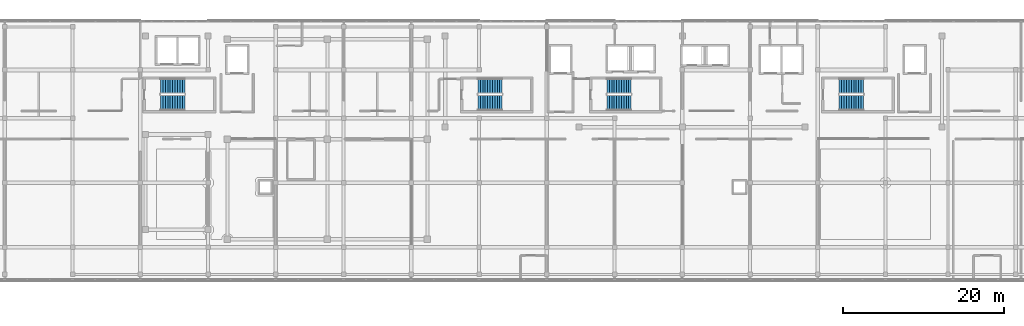
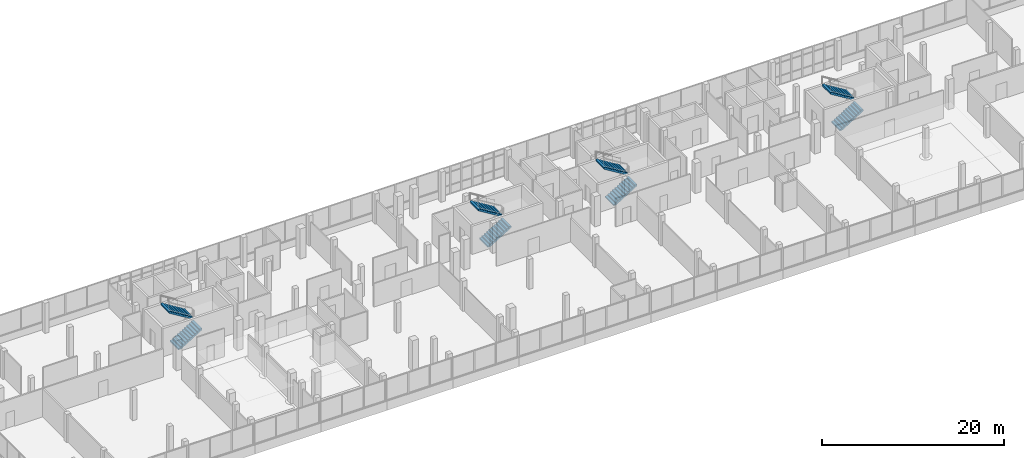
# One storey, part 60 of 66: 8 stair flights, 4 elements without a shape of their own.
"""IFC4 building model written with IfcOpenShell, lengths in metres."""

from ifc_helpers import new_model, si_unit, direction, frame, origin, place, context, subcontext, project, spatial, polyline, outline, extrude, material, layer, layer_set, type_object, element, aggregate, save


model = new_model("IFC4")

# Units and contexts
model_context = context("Model", 3, precision=1e-05, world=origin(), true_north=direction((0.0, 1.0)))
body_context = subcontext(model_context, "Body", "Model", "MODEL_VIEW")
ifc_project = project(units=[si_unit("LENGTHUNIT", "METRE"), si_unit("AREAUNIT", "SQUARE_METRE"), si_unit("VOLUMEUNIT", "CUBIC_METRE"), si_unit("PLANEANGLEUNIT", "RADIAN"), si_unit("MASSUNIT", "GRAM", prefix="KILO")], contexts=[model_context])

# Site, building, storey
site_placement = place(None, origin())
site = spatial("IfcSite", under=ifc_project, at=site_placement, CompositionType="ELEMENT")
building_placement = place(site_placement, origin())
building = spatial("IfcBuilding", under=site, at=building_placement, Name="Selatvlak General Hospital", CompositionType="ELEMENT")
storey_placement = place(building_placement, frame((0.0, 0.0, 31.35009765625)))
storey = spatial("IfcBuildingStorey", under=building, at=storey_placement, Name="L07", CompositionType="ELEMENT", Elevation=31.35009765625)

# Stair, stair flights
ifc_material = material(Name="Precast concrete C40/50", Category="concrete")
stair_type_1 = type_object("IfcStairType", Name="STAIR-ST-01", PredefinedType="HALF_TURN_STAIR", material=ifc_material)
stair_1_placement = place(storey_placement, origin())
stair_1 = element("IfcStair", 1, at=stair_1_placement, inside=storey, type_object=stair_type_1, Name="L07 Protected exit stair ST-01", PredefinedType="HALF_TURN_STAIR")
ifc_layer_1 = layer(ifc_material, 0.179931640625, Name="Precast concrete C40/50", Category="concrete")
ifc_layer_set_1 = layer_set([ifc_layer_1], Name="Precast concrete C40/50")
stair_flight_type_1 = type_object("IfcStairFlightType", Name="FLIGHT-ST-01", PredefinedType="STRAIGHT", material=ifc_layer_set_1)
stair_flight_1_placement = place(storey_placement, frame((50.510009765625, 109.929931640625, 0.0), z_axis=(0.0, 0.0, 1.0), x_axis=(1.0, 0.0, 0.0)))
stair_flight_1 = element("IfcStairFlight", 2, at=stair_flight_1_placement, type_object=stair_flight_type_1, Name="ST-01 flight 1", NumberOfRisers=11, NumberOfTreads=10, PredefinedType="STRAIGHT", RiserHeight=0.184090909, TreadLength=0.3, context=body_context, shape_type="SweptSolid", body=[
    extrude(outline(polyline([(0.0, 0.0), (0.0, 0.18408203125), (0.300048828125, 0.18408203125), (0.300048828125, 0.3681640625), (0.60009765625, 0.3681640625), (0.60009765625, 0.55224609375), (0.89990234375, 0.55224609375), (0.89990234375, 0.736328125), (1.199951171875, 0.736328125), (1.199951171875, 0.92041015625), (1.5, 0.92041015625), (1.5, 1.1044921875), (1.800048828125, 1.1044921875), (1.800048828125, 1.28857421875), (2.10009765625, 1.28857421875), (2.10009765625, 1.47265625), (2.39990234375, 1.47265625), (2.39990234375, 1.65673828125), (2.699951171875, 1.65673828125), (2.699951171875, 1.8408203125), (3.0, 1.8408203125), (3.0, 2.02490234375), (3.0, 1.6298828125), (0.343994140625, 0.0), (0.0, 0.0)])), frame((0.0, 0.93017578125, 0.0), z_axis=(0.0, -1.0, 0.0), x_axis=(1.0, 0.0, 0.0)), (0.0, 0.0, 1.0), 1.860107421875),
])
stair_flight_2_placement = place(storey_placement, frame((53.510009765625, 112.010009765625, 2.02490234375), z_axis=(0.0, 0.0, 1.0), x_axis=(-1.0, 0.0, 0.0)))
stair_flight_2 = element("IfcStairFlight", 3, at=stair_flight_2_placement, type_object=stair_flight_type_1, Name="ST-01 flight 2", NumberOfRisers=11, NumberOfTreads=10, PredefinedType="STRAIGHT", RiserHeight=0.184090909, TreadLength=0.3, context=body_context, shape_type="SweptSolid", body=[
    extrude(outline(polyline([(0.0, 0.0), (0.0, 0.18408203125), (0.300048828125, 0.18408203125), (0.300048828125, 0.3681640625), (0.60009765625, 0.3681640625), (0.60009765625, 0.55224609375), (0.89990234375, 0.55224609375), (0.89990234375, 0.736328125), (1.199951171875, 0.736328125), (1.199951171875, 0.92041015625), (1.5, 0.92041015625), (1.5, 1.1044921875), (1.800048828125, 1.1044921875), (1.800048828125, 1.28857421875), (2.10009765625, 1.28857421875), (2.10009765625, 1.47265625), (2.39990234375, 1.47265625), (2.39990234375, 1.65673828125), (2.699951171875, 1.65673828125), (2.699951171875, 1.8408203125), (3.0, 1.8408203125), (3.0, 2.02490234375), (3.0, 1.6298828125), (0.343994140625, 0.0), (0.0, 0.0)])), frame((0.0, 0.93017578125, 0.0), z_axis=(0.0, -1.0, 0.0), x_axis=(1.0, 0.0, 0.0)), (0.0, 0.0, 1.0), 1.860107421875),
])
aggregate(stair_1, [stair_flight_1, stair_flight_2])

stair_type_2 = type_object("IfcStairType", Name="STAIR-ST-02", PredefinedType="HALF_TURN_STAIR", material=ifc_material)
stair_2_placement = place(storey_placement, origin())
stair_2 = element("IfcStair", 4, at=stair_2_placement, inside=storey, type_object=stair_type_2, Name="L07 Protected exit stair ST-02", PredefinedType="HALF_TURN_STAIR")
ifc_layer_2 = layer(ifc_material, 0.179931640625, Name="Precast concrete C40/50", Category="concrete")
ifc_layer_set_2 = layer_set([ifc_layer_2], Name="Precast concrete C40/50")
stair_flight_type_2 = type_object("IfcStairFlightType", Name="FLIGHT-ST-02", PredefinedType="STRAIGHT", material=ifc_layer_set_2)
stair_flight_3_placement = place(storey_placement, frame((89.860107421875, 109.929931640625, 0.0), z_axis=(0.0, 0.0, 1.0), x_axis=(1.0, 0.0, 0.0)))
stair_flight_3 = element("IfcStairFlight", 5, at=stair_flight_3_placement, type_object=stair_flight_type_2, Name="ST-02 flight 1", NumberOfRisers=11, NumberOfTreads=10, PredefinedType="STRAIGHT", RiserHeight=0.184090909, TreadLength=0.3, context=body_context, shape_type="SweptSolid", body=[
    extrude(outline(polyline([(0.0, 0.0), (0.0, 0.18408203125), (0.300048828125, 0.18408203125), (0.300048828125, 0.3681640625), (0.60009765625, 0.3681640625), (0.60009765625, 0.55224609375), (0.89990234375, 0.55224609375), (0.89990234375, 0.736328125), (1.199951171875, 0.736328125), (1.199951171875, 0.92041015625), (1.5, 0.92041015625), (1.5, 1.1044921875), (1.800048828125, 1.1044921875), (1.800048828125, 1.28857421875), (2.10009765625, 1.28857421875), (2.10009765625, 1.47265625), (2.39990234375, 1.47265625), (2.39990234375, 1.65673828125), (2.699951171875, 1.65673828125), (2.699951171875, 1.8408203125), (3.0, 1.8408203125), (3.0, 2.02490234375), (3.0, 1.6298828125), (0.343994140625, 0.0), (0.0, 0.0)])), frame((0.0, 0.93017578125, 0.0), z_axis=(0.0, -1.0, 0.0), x_axis=(1.0, 0.0, 0.0)), (0.0, 0.0, 1.0), 1.860107421875),
])
stair_flight_4_placement = place(storey_placement, frame((92.860107421875, 112.010009765625, 2.02490234375), z_axis=(0.0, 0.0, 1.0), x_axis=(-1.0, 0.0, 0.0)))
stair_flight_4 = element("IfcStairFlight", 6, at=stair_flight_4_placement, type_object=stair_flight_type_2, Name="ST-02 flight 2", NumberOfRisers=11, NumberOfTreads=10, PredefinedType="STRAIGHT", RiserHeight=0.184090909, TreadLength=0.3, context=body_context, shape_type="SweptSolid", body=[
    extrude(outline(polyline([(0.0, 0.0), (0.0, 0.18408203125), (0.300048828125, 0.18408203125), (0.300048828125, 0.3681640625), (0.60009765625, 0.3681640625), (0.60009765625, 0.55224609375), (0.89990234375, 0.55224609375), (0.89990234375, 0.736328125), (1.199951171875, 0.736328125), (1.199951171875, 0.92041015625), (1.5, 0.92041015625), (1.5, 1.1044921875), (1.800048828125, 1.1044921875), (1.800048828125, 1.28857421875), (2.10009765625, 1.28857421875), (2.10009765625, 1.47265625), (2.39990234375, 1.47265625), (2.39990234375, 1.65673828125), (2.699951171875, 1.65673828125), (2.699951171875, 1.8408203125), (3.0, 1.8408203125), (3.0, 2.02490234375), (3.0, 1.6298828125), (0.343994140625, 0.0), (0.0, 0.0)])), frame((0.0, 0.93017578125, 0.0), z_axis=(0.0, -1.0, 0.0), x_axis=(1.0, 0.0, 0.0)), (0.0, 0.0, 1.0), 1.860107421875),
])
aggregate(stair_2, [stair_flight_3, stair_flight_4])

stair_type_3 = type_object("IfcStairType", Name="STAIR-ST-03", PredefinedType="HALF_TURN_STAIR", material=ifc_material)
stair_3_placement = place(storey_placement, origin())
stair_3 = element("IfcStair", 7, at=stair_3_placement, inside=storey, type_object=stair_type_3, Name="L07 Protected exit stair ST-03", PredefinedType="HALF_TURN_STAIR")
ifc_layer_3 = layer(ifc_material, 0.179931640625, Name="Precast concrete C40/50", Category="concrete")
ifc_layer_set_3 = layer_set([ifc_layer_3], Name="Precast concrete C40/50")
stair_flight_type_3 = type_object("IfcStairFlightType", Name="FLIGHT-ST-03", PredefinedType="STRAIGHT", material=ifc_layer_set_3)
stair_flight_5_placement = place(storey_placement, frame((105.860107421875, 109.929931640625, 0.0), z_axis=(0.0, 0.0, 1.0), x_axis=(1.0, 0.0, 0.0)))
stair_flight_5 = element("IfcStairFlight", 8, at=stair_flight_5_placement, type_object=stair_flight_type_3, Name="ST-03 flight 1", NumberOfRisers=11, NumberOfTreads=10, PredefinedType="STRAIGHT", RiserHeight=0.184090909, TreadLength=0.3, context=body_context, shape_type="SweptSolid", body=[
    extrude(outline(polyline([(0.0, 0.0), (0.0, 0.18408203125), (0.300048828125, 0.18408203125), (0.300048828125, 0.3681640625), (0.60009765625, 0.3681640625), (0.60009765625, 0.55224609375), (0.89990234375, 0.55224609375), (0.89990234375, 0.736328125), (1.199951171875, 0.736328125), (1.199951171875, 0.92041015625), (1.5, 0.92041015625), (1.5, 1.1044921875), (1.800048828125, 1.1044921875), (1.800048828125, 1.28857421875), (2.10009765625, 1.28857421875), (2.10009765625, 1.47265625), (2.39990234375, 1.47265625), (2.39990234375, 1.65673828125), (2.699951171875, 1.65673828125), (2.699951171875, 1.8408203125), (3.0, 1.8408203125), (3.0, 2.02490234375), (3.0, 1.6298828125), (0.343994140625, 0.0), (0.0, 0.0)])), frame((0.0, 0.93017578125, 0.0), z_axis=(0.0, -1.0, 0.0), x_axis=(1.0, 0.0, 0.0)), (0.0, 0.0, 1.0), 1.860107421875),
])
stair_flight_6_placement = place(storey_placement, frame((108.860107421875, 112.010009765625, 2.02490234375), z_axis=(0.0, 0.0, 1.0), x_axis=(-1.0, 0.0, 0.0)))
stair_flight_6 = element("IfcStairFlight", 9, at=stair_flight_6_placement, type_object=stair_flight_type_3, Name="ST-03 flight 2", NumberOfRisers=11, NumberOfTreads=10, PredefinedType="STRAIGHT", RiserHeight=0.184090909, TreadLength=0.3, context=body_context, shape_type="SweptSolid", body=[
    extrude(outline(polyline([(0.0, 0.0), (0.0, 0.18408203125), (0.300048828125, 0.18408203125), (0.300048828125, 0.3681640625), (0.60009765625, 0.3681640625), (0.60009765625, 0.55224609375), (0.89990234375, 0.55224609375), (0.89990234375, 0.736328125), (1.199951171875, 0.736328125), (1.199951171875, 0.92041015625), (1.5, 0.92041015625), (1.5, 1.1044921875), (1.800048828125, 1.1044921875), (1.800048828125, 1.28857421875), (2.10009765625, 1.28857421875), (2.10009765625, 1.47265625), (2.39990234375, 1.47265625), (2.39990234375, 1.65673828125), (2.699951171875, 1.65673828125), (2.699951171875, 1.8408203125), (3.0, 1.8408203125), (3.0, 2.02490234375), (3.0, 1.6298828125), (0.343994140625, 0.0), (0.0, 0.0)])), frame((0.0, 0.93017578125, 0.0), z_axis=(0.0, -1.0, 0.0), x_axis=(1.0, 0.0, 0.0)), (0.0, 0.0, 1.0), 1.860107421875),
])
aggregate(stair_3, [stair_flight_5, stair_flight_6])

stair_type_4 = type_object("IfcStairType", Name="STAIR-ST-04", PredefinedType="HALF_TURN_STAIR", material=ifc_material)
stair_4_placement = place(storey_placement, origin())
stair_4 = element("IfcStair", 10, at=stair_4_placement, inside=storey, type_object=stair_type_4, Name="L07 Protected exit stair ST-04", PredefinedType="HALF_TURN_STAIR")
ifc_layer_4 = layer(ifc_material, 0.179931640625, Name="Precast concrete C40/50", Category="concrete")
ifc_layer_set_4 = layer_set([ifc_layer_4], Name="Precast concrete C40/50")
stair_flight_type_4 = type_object("IfcStairFlightType", Name="FLIGHT-ST-04", PredefinedType="STRAIGHT", material=ifc_layer_set_4)
stair_flight_7_placement = place(storey_placement, frame((134.659912109375, 109.929931640625, 0.0), z_axis=(0.0, 0.0, 1.0), x_axis=(1.0, 0.0, 0.0)))
stair_flight_7 = element("IfcStairFlight", 11, at=stair_flight_7_placement, type_object=stair_flight_type_4, Name="ST-04 flight 1", NumberOfRisers=11, NumberOfTreads=10, PredefinedType="STRAIGHT", RiserHeight=0.184090909, TreadLength=0.3, context=body_context, shape_type="SweptSolid", body=[
    extrude(outline(polyline([(0.0, 0.0), (0.0, 0.18408203125), (0.300048828125, 0.18408203125), (0.300048828125, 0.3681640625), (0.60009765625, 0.3681640625), (0.60009765625, 0.55224609375), (0.89990234375, 0.55224609375), (0.89990234375, 0.736328125), (1.199951171875, 0.736328125), (1.199951171875, 0.92041015625), (1.5, 0.92041015625), (1.5, 1.1044921875), (1.800048828125, 1.1044921875), (1.800048828125, 1.28857421875), (2.10009765625, 1.28857421875), (2.10009765625, 1.47265625), (2.39990234375, 1.47265625), (2.39990234375, 1.65673828125), (2.699951171875, 1.65673828125), (2.699951171875, 1.8408203125), (3.0, 1.8408203125), (3.0, 2.02490234375), (3.0, 1.6298828125), (0.343994140625, 0.0), (0.0, 0.0)])), frame((0.0, 0.93017578125, 0.0), z_axis=(0.0, -1.0, 0.0), x_axis=(1.0, 0.0, 0.0)), (0.0, 0.0, 1.0), 1.860107421875),
])
stair_flight_8_placement = place(storey_placement, frame((137.659912109375, 112.010009765625, 2.02490234375), z_axis=(0.0, 0.0, 1.0), x_axis=(-1.0, 0.0, 0.0)))
stair_flight_8 = element("IfcStairFlight", 12, at=stair_flight_8_placement, type_object=stair_flight_type_4, Name="ST-04 flight 2", NumberOfRisers=11, NumberOfTreads=10, PredefinedType="STRAIGHT", RiserHeight=0.184090909, TreadLength=0.3, context=body_context, shape_type="SweptSolid", body=[
    extrude(outline(polyline([(0.0, 0.0), (0.0, 0.18408203125), (0.300048828125, 0.18408203125), (0.300048828125, 0.3681640625), (0.60009765625, 0.3681640625), (0.60009765625, 0.55224609375), (0.89990234375, 0.55224609375), (0.89990234375, 0.736328125), (1.199951171875, 0.736328125), (1.199951171875, 0.92041015625), (1.5, 0.92041015625), (1.5, 1.1044921875), (1.800048828125, 1.1044921875), (1.800048828125, 1.28857421875), (2.10009765625, 1.28857421875), (2.10009765625, 1.47265625), (2.39990234375, 1.47265625), (2.39990234375, 1.65673828125), (2.699951171875, 1.65673828125), (2.699951171875, 1.8408203125), (3.0, 1.8408203125), (3.0, 2.02490234375), (3.0, 1.6298828125), (0.343994140625, 0.0), (0.0, 0.0)])), frame((0.0, 0.93017578125, 0.0), z_axis=(0.0, -1.0, 0.0), x_axis=(1.0, 0.0, 0.0)), (0.0, 0.0, 1.0), 1.860107421875),
])
aggregate(stair_4, [stair_flight_7, stair_flight_8])

save(model, "model.ifc")
